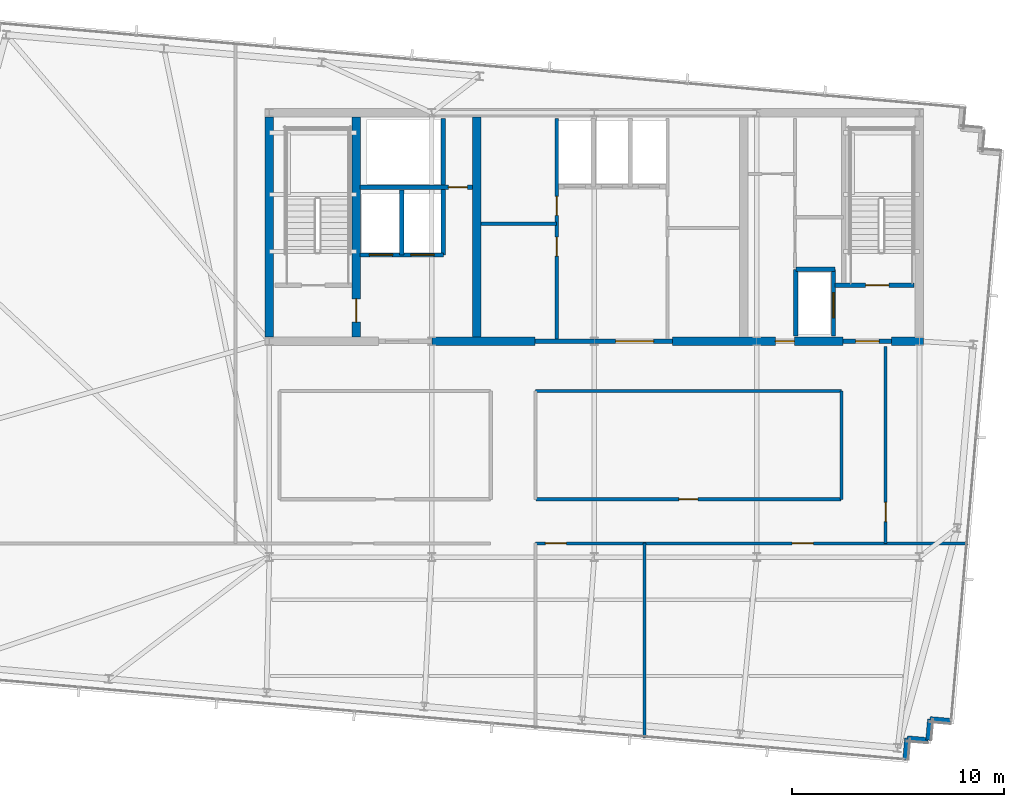
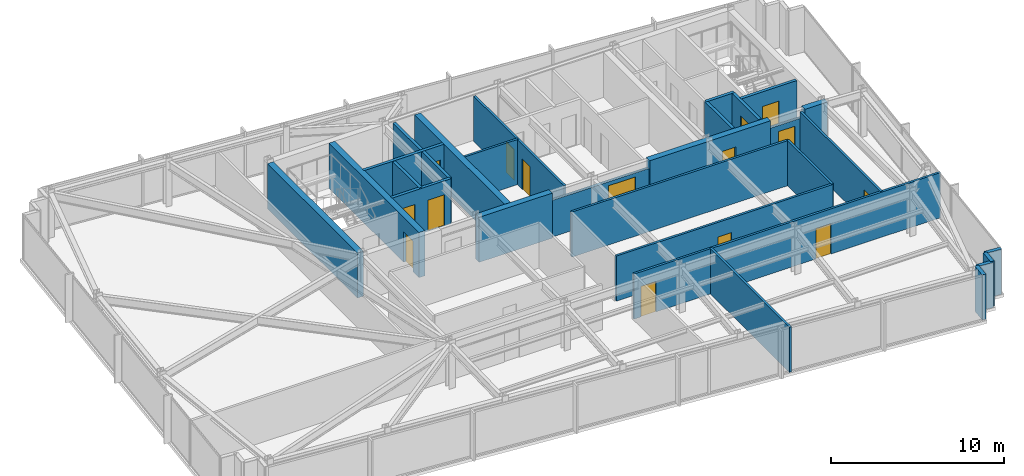
# One storey, part 27 of 32: 28 walls, 15 doors, 15 openings.
"""IFC4 building model written with IfcOpenShell, lengths in metres."""

from ifc_helpers import new_model, si_unit, direction, frame, frame_2d, origin, place, context, subcontext, project, spatial, rectangle, extrude, material, layer, layer_set, type_object, element, fill, save


model = new_model("IFC4")

# Units and contexts
model_context = context("Model", 3, precision=1e-05, world=origin(), true_north=direction((0.0, 1.0)))
body_context = subcontext(model_context, "Body", "Model", "MODEL_VIEW")
ifc_project = project(units=[si_unit("LENGTHUNIT", "METRE"), si_unit("AREAUNIT", "SQUARE_METRE"), si_unit("VOLUMEUNIT", "CUBIC_METRE"), si_unit("PLANEANGLEUNIT", "RADIAN"), si_unit("MASSUNIT", "GRAM", prefix="KILO")], contexts=[model_context])

# Site, building, storey
site_placement = place(None, origin())
site = spatial("IfcSite", under=ifc_project, at=site_placement, CompositionType="ELEMENT")
building_placement = place(site_placement, origin())
building = spatial("IfcBuilding", under=site, at=building_placement, Name="Yelkora Congress Tower", CompositionType="ELEMENT")
storey_placement = place(building_placement, frame((0.0, 0.0, 262.5)))
storey = spatial("IfcBuildingStorey", under=building, at=storey_placement, Name="L73", CompositionType="ELEMENT", Elevation=262.5)

# Wall
ifc_material_1 = material(Name="Concrete C50/60", Category="concrete")
ifc_layer_1 = layer(ifc_material_1, 0.39990234375)
ifc_layer_set_1 = layer_set([ifc_layer_1], Name="Concrete C50/60")
wall_type_1 = type_object("IfcWallType", Name="WALL-CORE-INT-400", PredefinedType="SHEAR", material=ifc_layer_set_1)
wall_1_placement = place(storey_placement, frame((30.719970703125, 35.39990234375, 0.0), z_axis=(0.0, 0.0, 1.0), x_axis=(1.0, 0.0, 0.0)))
element("IfcWall", 1, at=wall_1_placement, inside=storey, type_object=wall_type_1, Name="L73 Rear Core South-Center Shear Pier", PredefinedType="SHEAR", context=body_context, shape_type="SweptSolid", body=[
    extrude(rectangle(XDim=4.880126953125, YDim=0.39990234375, at=frame_2d((2.43994140625, 0.0))), origin(), (0.0, 0.0, 1.0), 3.179931640625),
])

# Wall, opening, door
wall_2_placement = place(storey_placement, frame((42.10009765625, 35.39990234375, 0.0), z_axis=(0.0, 0.0, 1.0), x_axis=(1.0, 0.0, 0.0)))
wall_2 = element("IfcWall", 2, at=wall_2_placement, inside=storey, type_object=wall_type_1, Name="L73 Rear Core South-East Shear Wall A", PredefinedType="SHEAR", context=body_context, shape_type="SweptSolid", body=[
    extrude(rectangle(XDim=8.0498046875, YDim=0.39990234375, at=frame_2d((4.02490234375, 0.0))), origin(), (0.0, 0.0, 1.0), 3.179931640625),
])
opening_1_placement = place(wall_2_placement, frame((4.85009765625, 0.0, 0.0)))
opening_1 = element("IfcOpeningElement", 3, at=opening_1_placement, cuts=wall_2, Name="Opening DR-090F6", PredefinedType="OPENING", context=body_context, shape_type="SweptSolid", body=[
    extrude(rectangle(XDim=0.89990234375, YDim=2.14990234375, at=frame_2d((0.449951171875, 1.074951171875))), frame((0.0, 0.2099609375, 0.0), z_axis=(0.0, -1.0, 0.0), x_axis=(1.0, 0.0, 0.0)), (0.0, 0.0, 1.0), 0.419921875),
])
ifc_material_2 = material(Name="Painted steel riser fire door leaf", Category="steel")
door_type_1 = type_object("IfcDoorType", Name="DOOR-FD60-900", OperationType="NOTDEFINED", PredefinedType="DOOR", material=ifc_material_2)
door_1_placement = place(opening_1_placement, origin())
door_1 = element("IfcDoor", 4, at=door_1_placement, inside=storey, type_object=door_type_1, Name="L73 Core Washroom Lobby Door", OperationType="SINGLE_SWING_RIGHT", OverallHeight=2.14990234375, OverallWidth=0.89990234375, PredefinedType="DOOR", context=body_context, shape_type="SweptSolid", body=[
    extrude(rectangle(XDim=0.89990234375, YDim=2.14990234375, at=frame_2d((0.449951171875, 1.074951171875))), frame((0.0, 0.02490234375, 0.0), z_axis=(0.0, -1.0, 0.0), x_axis=(1.0, 0.0, 0.0)), (0.0, 0.0, 1.0), 0.050048828125),
])
fill(opening_1, door_1)

# Walls
wall_3_placement = place(storey_placement, frame((52.449951171875, 35.39990234375, 0.0), z_axis=(0.0, 0.0, 1.0), x_axis=(1.0, 0.0, 0.0)))
element("IfcWall", 5, at=wall_3_placement, inside=storey, type_object=wall_type_1, Name="L73 Rear Core South-East Shear Wall B", PredefinedType="SHEAR", context=body_context, shape_type="SweptSolid", body=[
    extrude(rectangle(XDim=1.510009765625, YDim=0.39990234375, at=frame_2d((0.7548828125, 0.0))), origin(), (0.0, 0.0, 1.0), 3.179931640625),
])
wall_4_placement = place(storey_placement, frame((23.0400390625, 35.60009765625, 0.0), z_axis=(0.0, 0.0, 1.0), x_axis=(0.0, 1.0, 0.0)))
element("IfcWall", 6, at=wall_4_placement, inside=storey, type_object=wall_type_1, Name="L73 Rear Core Cross Shear Wall W", PredefinedType="SHEAR", context=body_context, shape_type="SweptSolid", body=[
    extrude(rectangle(XDim=10.39990234375, YDim=0.39990234375, at=frame_2d((5.199951171875, 0.0))), origin(), (0.0, 0.0, 1.0), 3.179931640625),
])

# Wall, opening, door
wall_5_placement = place(storey_placement, frame((27.14990234375, 35.60009765625, 0.0), z_axis=(0.0, 0.0, 1.0), x_axis=(0.0, 1.0, 0.0)))
wall_5 = element("IfcWall", 7, at=wall_5_placement, inside=storey, type_object=wall_type_1, Name="L73 Rear Core Cross Shear Wall C1", PredefinedType="SHEAR", context=body_context, shape_type="SweptSolid", body=[
    extrude(rectangle(XDim=10.39990234375, YDim=0.39990234375, at=frame_2d((5.199951171875, 0.0))), origin(), (0.0, 0.0, 1.0), 3.179931640625),
])
opening_2_placement = place(wall_5_placement, frame((0.699951171875, 0.0, 0.0)))
opening_2 = element("IfcOpeningElement", 8, at=opening_2_placement, cuts=wall_5, Name="Opening DR-110F9", PredefinedType="OPENING", context=body_context, shape_type="SweptSolid", body=[
    extrude(rectangle(XDim=1.10009765625, YDim=2.14990234375, at=frame_2d((0.550048828125, 1.074951171875))), frame((0.0, 0.2099609375, 0.0), z_axis=(0.0, -1.0, 0.0), x_axis=(1.0, 0.0, 0.0)), (0.0, 0.0, 1.0), 0.419921875),
])
ifc_material_3 = material(Name="Galvanised steel fire door leaf", Category="steel")
door_type_2 = type_object("IfcDoorType", Name="DOOR-FD90-1100", OperationType="NOTDEFINED", PredefinedType="DOOR", material=ifc_material_3)
door_2_placement = place(opening_2_placement, origin())
door_2 = element("IfcDoor", 9, at=door_2_placement, inside=storey, type_object=door_type_2, Name="L73 Firefighting Stair Transfer Door", OperationType="SINGLE_SWING_LEFT", OverallHeight=2.14990234375, OverallWidth=1.10009765625, PredefinedType="DOOR", context=body_context, shape_type="SweptSolid", body=[
    extrude(rectangle(XDim=1.10009765625, YDim=2.14990234375, at=frame_2d((0.550048828125, 1.074951171875))), frame((0.0, 0.02490234375, 0.0), z_axis=(0.0, -1.0, 0.0), x_axis=(1.0, 0.0, 0.0)), (0.0, 0.0, 1.0), 0.050048828125),
])
fill(opening_2, door_2)

# Walls
wall_6_placement = place(storey_placement, frame((32.85009765625, 35.60009765625, 0.0), z_axis=(0.0, 0.0, 1.0), x_axis=(0.0, 1.0, 0.0)))
element("IfcWall", 10, at=wall_6_placement, inside=storey, type_object=wall_type_1, Name="L73 Rear Core Cross Shear Wall C2", PredefinedType="SHEAR", context=body_context, shape_type="SweptSolid", body=[
    extrude(rectangle(XDim=10.39990234375, YDim=0.39990234375, at=frame_2d((5.199951171875, 0.0))), origin(), (0.0, 0.0, 1.0), 3.179931640625),
])
ifc_material_4 = material(Name="Concrete C40/50", Category="concrete")
ifc_layer_2 = layer(ifc_material_4, 0.239990234375)
ifc_layer_set_2 = layer_set([ifc_layer_2], Name="Concrete C40/50")
wall_type_2 = type_object("IfcWallType", Name="WALL-EXT-LIMESTONE-240", PredefinedType="SOLIDWALL", material=ifc_layer_set_2)
for number, where, z_axis, x_axis, name in (
    (11, (55.2578125, 17.458740234375, 0.0), (0.0, 0.0, 1.0), (-0.996193717496, 0.087166950281, 0.0), "L73 Serrated Corner Limestone Pier 16"),
    (12, (54.26171875, 17.5458984375, 0.0), (0.0, 0.0, 1.0), (-0.087166950281, -0.996193717496, 0.0), "L73 Serrated Corner Limestone Pier 17"),
):
    element("IfcWall", number, at=place(storey_placement, frame(where, z_axis=z_axis, x_axis=x_axis)), inside=storey, type_object=wall_type_2, Name=name, PredefinedType="SOLIDWALL", context=body_context, shape_type="SweptSolid", body=[
        extrude(rectangle(XDim=1.0, YDim=0.239990234375, at=frame_2d((0.5, 0.0))), origin(), (0.0, 0.0, 1.0), 3.179931640625),
    ])
for number, where, z_axis, x_axis, name in (
    (13, (54.174560546875, 16.5498046875, 0.0), (0.0, 0.0, 1.0), (-0.996195572005, 0.087145753297, 0.0), "L73 Serrated Corner Limestone Pier 18"),
    (14, (53.17822265625, 16.636962890625, 0.0), (0.0, 0.0, 1.0), (-0.087145753297, -0.996195572005, 0.0), "L73 Serrated Corner Limestone Pier 19"),
):
    element("IfcWall", number, at=place(storey_placement, frame(where, z_axis=z_axis, x_axis=x_axis)), inside=storey, type_object=wall_type_2, Name=name, PredefinedType="SOLIDWALL", context=body_context, shape_type="SweptSolid", body=[
        extrude(rectangle(XDim=1.000244140625, YDim=0.239990234375, at=frame_2d((0.5, 0.0))), origin(), (0.0, 0.0, 1.0), 3.179931640625),
    ])
ifc_material_5 = material(Name="Acoustic metal-stud gypsum partition", Category="gypsum")
ifc_layer_3 = layer(ifc_material_5, 0.14990234375)
ifc_layer_set_3 = layer_set([ifc_layer_3], Name="Acoustic metal-stud gypsum partition")
wall_type_3 = type_object("IfcWallType", Name="WALL-INT-150-NR", PredefinedType="PARTITIONING", material=ifc_layer_set_3)
wall_7_placement = place(storey_placement, frame((40.77392578125, 16.658203125, 0.0), z_axis=(0.0, 0.0, 1.0), x_axis=(0.0, 1.0, 0.0)))
element("IfcWall", 15, at=wall_7_placement, inside=storey, type_object=wall_type_3, Name="L73 Partition Wall 24", PredefinedType="PARTITIONING", context=body_context, shape_type="SweptSolid", body=[
    extrude(rectangle(XDim=9.2119140625, YDim=0.14990234375, at=frame_2d((4.60595703125, 0.0))), origin(), (0.0, 0.0, 1.0), 3.179931640625),
])

# Wall, openings, doors
wall_8_placement = place(storey_placement, frame((35.6201171875, 25.85009765625, 0.0), z_axis=(0.0, 0.0, 1.0), x_axis=(1.0, 0.0, 0.0)))
wall_8 = element("IfcWall", 16, at=wall_8_placement, inside=storey, type_object=wall_type_3, Name="L73 South Spine Wall East", PredefinedType="PARTITIONING", context=body_context, shape_type="SweptSolid", body=[
    extrude(rectangle(XDim=20.43212890625, YDim=0.14990234375, at=frame_2d((10.216064453125, 0.0))), origin(), (0.0, 0.0, 1.0), 3.179931640625),
])
opening_3_placement = place(wall_8_placement, frame((0.4599609375, 0.0, 0.0)))
opening_3 = element("IfcOpeningElement", 17, at=opening_3_placement, cuts=wall_8, Name="Opening DR-100N", PredefinedType="OPENING", context=body_context, shape_type="SweptSolid", body=[
    extrude(rectangle(XDim=1.0, YDim=2.14990234375, at=frame_2d((0.5, 1.074951171875))), frame((0.0, 0.0849609375, 0.0), z_axis=(0.0, -1.0, 0.0), x_axis=(1.0, 0.0, 0.0)), (0.0, 0.0, 1.0), 0.169921875),
])
opening_4_placement = place(wall_8_placement, frame((12.12548828125, 0.0, 0.0)))
opening_4 = element("IfcOpeningElement", 18, at=opening_4_placement, cuts=wall_8, Name="Opening DR-100N", PredefinedType="OPENING", context=body_context, shape_type="SweptSolid", body=[
    extrude(rectangle(XDim=1.0, YDim=2.14990234375, at=frame_2d((0.5, 1.074951171875))), frame((0.0, 0.0849609375, 0.0), z_axis=(0.0, -1.0, 0.0), x_axis=(1.0, 0.0, 0.0)), (0.0, 0.0, 1.0), 0.169921875),
])
ifc_material_6 = material(Name="Solid-core Anatolian oak veneer door", Category="wood")
door_type_3 = type_object("IfcDoorType", Name="DOOR-INT-1000", OperationType="NOTDEFINED", PredefinedType="DOOR", material=ifc_material_6)
door_3_placement = place(opening_3_placement, origin())
door_3 = element("IfcDoor", 19, at=door_3_placement, inside=storey, type_object=door_type_3, Name="L73 Refreshment Kitchen Door", OperationType="SINGLE_SWING_LEFT", OverallHeight=2.14990234375, OverallWidth=1.0, PredefinedType="DOOR", context=body_context, shape_type="SweptSolid", body=[
    extrude(rectangle(XDim=1.0, YDim=2.14990234375, at=frame_2d((0.5, 1.074951171875))), frame((0.0, 0.02490234375, 0.0), z_axis=(0.0, -1.0, 0.0), x_axis=(1.0, 0.0, 0.0)), (0.0, 0.0, 1.0), 0.050048828125),
])
fill(opening_3, door_3)
door_4_placement = place(opening_4_placement, origin())
door_4 = element("IfcDoor", 20, at=door_4_placement, inside=storey, type_object=door_type_3, Name="L73 Translation Studio Door", OperationType="SINGLE_SWING_RIGHT", OverallHeight=2.14990234375, OverallWidth=1.0, PredefinedType="DOOR", context=body_context, shape_type="SweptSolid", body=[
    extrude(rectangle(XDim=1.0, YDim=2.14990234375, at=frame_2d((0.5, 1.074951171875))), frame((0.0, 0.02490234375, 0.0), z_axis=(0.0, -1.0, 0.0), x_axis=(1.0, 0.0, 0.0)), (0.0, 0.0, 1.0), 0.050048828125),
])
fill(opening_4, door_4)

# Wall, opening, door
wall_9_placement = place(storey_placement, frame((52.159912109375, 25.85009765625, 0.0), z_axis=(0.0, 0.0, 1.0), x_axis=(0.0, 1.0, 0.0)))
wall_9 = element("IfcWall", 21, at=wall_9_placement, inside=storey, type_object=wall_type_3, Name="L73 Partition Wall 28", PredefinedType="PARTITIONING", context=body_context, shape_type="SweptSolid", body=[
    extrude(rectangle(XDim=9.289794921875, YDim=0.14990234375, at=frame_2d((4.64501953125, 0.0))), origin(), (0.0, 0.0, 1.0), 3.179931640625),
])
opening_5_placement = place(wall_9_placement, frame((1.030029296875, 0.0, 0.0)))
opening_5 = element("IfcOpeningElement", 22, at=opening_5_placement, cuts=wall_9, Name="Opening DR-090N", PredefinedType="OPENING", context=body_context, shape_type="SweptSolid", body=[
    extrude(rectangle(XDim=0.89990234375, YDim=2.14990234375, at=frame_2d((0.449951171875, 1.074951171875))), frame((0.0, 0.0849609375, 0.0), z_axis=(0.0, -1.0, 0.0), x_axis=(1.0, 0.0, 0.0)), (0.0, 0.0, 1.0), 0.169921875),
])
ifc_material_7 = material(Name="Moisture-resistant laminate door leaf", Category="wood")
door_type_4 = type_object("IfcDoorType", Name="DOOR-INT-900", OperationType="NOTDEFINED", PredefinedType="DOOR", material=ifc_material_7)
door_5_placement = place(opening_5_placement, origin())
door_5 = element("IfcDoor", 23, at=door_5_placement, inside=storey, type_object=door_type_4, Name="L73 E Wing Door", OperationType="SINGLE_SWING_RIGHT", OverallHeight=2.14990234375, OverallWidth=0.89990234375, PredefinedType="DOOR", context=body_context, shape_type="SweptSolid", body=[
    extrude(rectangle(XDim=0.89990234375, YDim=2.14990234375, at=frame_2d((0.449951171875, 1.074951171875))), frame((0.0, 0.02490234375, 0.0), z_axis=(0.0, -1.0, 0.0), x_axis=(1.0, 0.0, 0.0)), (0.0, 0.0, 1.0), 0.050048828125),
])
fill(opening_5, door_5)

# Walls
wall_10_placement = place(storey_placement, frame((50.080078125, 27.929931640625, 0.0), z_axis=(0.0, 0.0, 1.0), x_axis=(0.0, 1.0, 0.0)))
element("IfcWall", 24, at=wall_10_placement, inside=storey, type_object=wall_type_3, Name="L73 Partition Wall 30", PredefinedType="PARTITIONING", context=body_context, shape_type="SweptSolid", body=[
    extrude(rectangle(XDim=5.1201171875, YDim=0.14990234375, at=frame_2d((2.56005859375, 0.0))), origin(), (0.0, 0.0, 1.0), 3.179931640625),
])
wall_11_placement = place(storey_placement, frame((35.6201171875, 33.050048828125, 0.0), z_axis=(0.0, 0.0, 1.0), x_axis=(1.0, 0.0, 0.0)))
element("IfcWall", 25, at=wall_11_placement, inside=storey, type_object=wall_type_3, Name="L73 Partition Wall 34", PredefinedType="PARTITIONING", context=body_context, shape_type="SweptSolid", body=[
    extrude(rectangle(XDim=14.4599609375, YDim=0.14990234375, at=frame_2d((7.22998046875, 0.0))), origin(), (0.0, 0.0, 1.0), 3.179931640625),
])

# Wall, opening, door
wall_12_placement = place(storey_placement, frame((35.6298828125, 27.929931640625, 0.0), z_axis=(0.0, 0.0, 1.0), x_axis=(1.0, 0.0, 0.0)))
wall_12 = element("IfcWall", 26, at=wall_12_placement, inside=storey, type_object=wall_type_3, Name="L73 Partition Wall 36", PredefinedType="PARTITIONING", context=body_context, shape_type="SweptSolid", body=[
    extrude(rectangle(XDim=14.43017578125, YDim=0.14990234375, at=frame_2d((7.215087890625, 0.0))), origin(), (0.0, 0.0, 1.0), 3.179931640625),
])
opening_6_placement = place(wall_12_placement, frame((6.764892578125, 0.0, 0.0)))
opening_6 = element("IfcOpeningElement", 27, at=opening_6_placement, cuts=wall_12, Name="Opening DR-090N", PredefinedType="OPENING", context=body_context, shape_type="SweptSolid", body=[
    extrude(rectangle(XDim=0.89990234375, YDim=2.14990234375, at=frame_2d((0.449951171875, 1.074951171875))), frame((0.0, 0.0849609375, 0.0), z_axis=(0.0, -1.0, 0.0), x_axis=(1.0, 0.0, 0.0)), (0.0, 0.0, 1.0), 0.169921875),
])
door_6_placement = place(opening_6_placement, origin())
door_6 = element("IfcDoor", 28, at=door_6_placement, inside=storey, type_object=door_type_4, Name="L73 Business Concierge Office Door", OperationType="SINGLE_SWING_RIGHT", OverallHeight=2.14990234375, OverallWidth=0.89990234375, PredefinedType="DOOR", context=body_context, shape_type="SweptSolid", body=[
    extrude(rectangle(XDim=0.89990234375, YDim=2.14990234375, at=frame_2d((0.449951171875, 1.074951171875))), frame((0.0, 0.02490234375, 0.0), z_axis=(0.0, -1.0, 0.0), x_axis=(1.0, 0.0, 0.0)), (0.0, 0.0, 1.0), 0.050048828125),
])
fill(opening_6, door_6)

# Wall
ifc_material_8 = material(Name="Twin-stud fire-rated gypsum partition", Category="gypsum")
ifc_layer_4 = layer(ifc_material_8, 0.14990234375)
ifc_layer_set_4 = layer_set([ifc_layer_4], Name="Twin-stud fire-rated gypsum partition")
wall_type_4 = type_object("IfcWallType", Name="WALL-INT-150-R60", PredefinedType="PARTITIONING", material=ifc_layer_set_4)
wall_13_placement = place(storey_placement, frame((33.050048828125, 40.949951171875, 0.0), z_axis=(0.0, 0.0, 1.0), x_axis=(1.0, 0.0, 0.0)))
element("IfcWall", 29, at=wall_13_placement, inside=storey, type_object=wall_type_4, Name="L73 Partition Wall 11", PredefinedType="PARTITIONING", context=body_context, shape_type="SweptSolid", body=[
    extrude(rectangle(XDim=3.570068359375, YDim=0.14990234375, at=frame_2d((1.78515625, 0.0))), origin(), (0.0, 0.0, 1.0), 3.179931640625),
])

# Wall, openings, doors
wall_14_placement = place(storey_placement, frame((36.6201171875, 35.5, 0.0), z_axis=(0.0, 0.0, 1.0), x_axis=(0.0, 1.0, 0.0)))
wall_14 = element("IfcWall", 30, at=wall_14_placement, inside=storey, type_object=wall_type_4, Name="L73 Partition Wall 12", PredefinedType="PARTITIONING", context=body_context, shape_type="SweptSolid", body=[
    extrude(rectangle(XDim=10.419921875, YDim=0.14990234375, at=frame_2d((5.2099609375, 0.0))), origin(), (0.0, 0.0, 1.0), 3.179931640625),
])
opening_7_placement = place(wall_14_placement, frame((3.919921875, 0.0, 0.0)))
opening_7 = element("IfcOpeningElement", 31, at=opening_7_placement, cuts=wall_14, Name="Opening DR-090F6", PredefinedType="OPENING", context=body_context, shape_type="SweptSolid", body=[
    extrude(rectangle(XDim=0.89990234375, YDim=2.14990234375, at=frame_2d((0.449951171875, 1.074951171875))), frame((0.0, 0.0849609375, 0.0), z_axis=(0.0, -1.0, 0.0), x_axis=(1.0, 0.0, 0.0)), (0.0, 0.0, 1.0), 0.169921875),
])
opening_8_placement = place(wall_14_placement, frame((5.85009765625, 0.0, 0.0)))
opening_8 = element("IfcOpeningElement", 32, at=opening_8_placement, cuts=wall_14, Name="Opening DR-090F6", PredefinedType="OPENING", context=body_context, shape_type="SweptSolid", body=[
    extrude(rectangle(XDim=0.89990234375, YDim=2.14990234375, at=frame_2d((0.449951171875, 1.074951171875))), frame((0.0, 0.0849609375, 0.0), z_axis=(0.0, -1.0, 0.0), x_axis=(1.0, 0.0, 0.0)), (0.0, 0.0, 1.0), 0.169921875),
])
door_7_placement = place(opening_7_placement, origin())
door_7 = element("IfcDoor", 33, at=door_7_placement, inside=storey, type_object=door_type_1, Name="L73 Telecom Store Door", OperationType="SINGLE_SWING_RIGHT", OverallHeight=2.14990234375, OverallWidth=0.89990234375, PredefinedType="DOOR", context=body_context, shape_type="SweptSolid", body=[
    extrude(rectangle(XDim=0.89990234375, YDim=2.14990234375, at=frame_2d((0.449951171875, 1.074951171875))), frame((0.0, 0.02490234375, 0.0), z_axis=(0.0, -1.0, 0.0), x_axis=(1.0, 0.0, 0.0)), (0.0, 0.0, 1.0), 0.050048828125),
])
fill(opening_7, door_7)
door_8_placement = place(opening_8_placement, origin())
door_8 = element("IfcDoor", 34, at=door_8_placement, inside=storey, type_object=door_type_1, Name="L73 Archive Store Door", OperationType="SINGLE_SWING_LEFT", OverallHeight=2.14990234375, OverallWidth=0.89990234375, PredefinedType="DOOR", context=body_context, shape_type="SweptSolid", body=[
    extrude(rectangle(XDim=0.89990234375, YDim=2.14990234375, at=frame_2d((0.449951171875, 1.074951171875))), frame((0.0, 0.02490234375, 0.0), z_axis=(0.0, -1.0, 0.0), x_axis=(1.0, 0.0, 0.0)), (0.0, 0.0, 1.0), 0.050048828125),
])
fill(opening_8, door_8)

ifc_material_9 = material(Name="Autoclaved aerated concrete blockwork", Category="masonry")
ifc_layer_5 = layer(ifc_material_9, 0.199951171875)
ifc_layer_set_5 = layer_set([ifc_layer_5], Name="Autoclaved aerated concrete blockwork")
wall_type_5 = type_object("IfcWallType", Name="WALL-INT-200-R120", PredefinedType="PARTITIONING", material=ifc_layer_set_5)
wall_15_placement = place(storey_placement, frame((27.320068359375, 39.47998046875, 0.0), z_axis=(0.0, 0.0, 1.0), x_axis=(1.0, 0.0, 0.0)))
wall_15 = element("IfcWall", 35, at=wall_15_placement, inside=storey, type_object=wall_type_5, Name="L73 Firefighting Lift Front Wall", PredefinedType="PARTITIONING", context=body_context, shape_type="SweptSolid", body=[
    extrude(rectangle(XDim=3.93994140625, YDim=0.199951171875, at=frame_2d((1.969970703125, 0.0))), origin(), (0.0, 0.0, 1.0), 3.179931640625),
])
opening_9_placement = place(wall_15_placement, frame((0.449951171875, 0.0, 0.0)))
opening_9 = element("IfcOpeningElement", 36, at=opening_9_placement, cuts=wall_15, Name="Opening LD-FF11", PredefinedType="OPENING", context=body_context, shape_type="SweptSolid", body=[
    extrude(rectangle(XDim=1.10009765625, YDim=2.199951171875, at=frame_2d((0.550048828125, 1.10009765625))), frame((0.0, 0.10986328125, 0.0), z_axis=(0.0, -1.0, 0.0), x_axis=(1.0, 0.0, 0.0)), (0.0, 0.0, 1.0), 0.219970703125),
])
opening_10_placement = place(wall_15_placement, frame((2.409912109375, 0.0, 0.0)))
opening_10 = element("IfcOpeningElement", 37, at=opening_10_placement, cuts=wall_15, Name="Opening LD-FF11", PredefinedType="OPENING", context=body_context, shape_type="SweptSolid", body=[
    extrude(rectangle(XDim=1.10009765625, YDim=2.199951171875, at=frame_2d((0.550048828125, 1.10009765625))), frame((0.0, 0.10986328125, 0.0), z_axis=(0.0, -1.0, 0.0), x_axis=(1.0, 0.0, 0.0)), (0.0, 0.0, 1.0), 0.219970703125),
])
ifc_material_10 = material(Name="Brushed stainless steel 316L landing door", Category="steel")
door_type_5 = type_object("IfcDoorType", Name="DOOR-LIFT-FF-1100", OperationType="DOUBLE_DOOR_SLIDING", PredefinedType="DOOR", material=ifc_material_10)
door_9_placement = place(opening_9_placement, origin())
door_9 = element("IfcDoor", 38, at=door_9_placement, inside=storey, type_object=door_type_5, Name="Lift Landing Door LF-FF1 L73", OperationType="DOUBLE_DOOR_SLIDING", OverallHeight=2.199951171875, OverallWidth=1.10009765625, PredefinedType="DOOR", context=body_context, shape_type="SweptSolid", body=[
    extrude(rectangle(XDim=1.10009765625, YDim=2.199951171875, at=frame_2d((0.550048828125, 1.10009765625))), frame((0.0, 0.02490234375, 0.0), z_axis=(0.0, -1.0, 0.0), x_axis=(1.0, 0.0, 0.0)), (0.0, 0.0, 1.0), 0.050048828125),
])
fill(opening_9, door_9)
door_10_placement = place(opening_10_placement, origin())
door_10 = element("IfcDoor", 39, at=door_10_placement, inside=storey, type_object=door_type_5, Name="Lift Landing Door LF-FF2 L73", OperationType="DOUBLE_DOOR_SLIDING", OverallHeight=2.199951171875, OverallWidth=1.10009765625, PredefinedType="DOOR", context=body_context, shape_type="SweptSolid", body=[
    extrude(rectangle(XDim=1.10009765625, YDim=2.199951171875, at=frame_2d((0.550048828125, 1.10009765625))), frame((0.0, 0.02490234375, 0.0), z_axis=(0.0, -1.0, 0.0), x_axis=(1.0, 0.0, 0.0)), (0.0, 0.0, 1.0), 0.050048828125),
])
fill(opening_10, door_10)

# Walls
wall_16_placement = place(storey_placement, frame((29.300048828125, 39.47998046875, 0.0), z_axis=(0.0, 0.0, 1.0), x_axis=(0.0, 1.0, 0.0)))
element("IfcWall", 40, at=wall_16_placement, inside=storey, type_object=wall_type_5, Name="L73 Partition Wall 4", PredefinedType="PARTITIONING", context=body_context, shape_type="SweptSolid", body=[
    extrude(rectangle(XDim=3.070068359375, YDim=0.199951171875, at=frame_2d((1.53515625, 0.0))), origin(), (0.0, 0.0, 1.0), 3.179931640625),
])
wall_17_placement = place(storey_placement, frame((31.260009765625, 39.47998046875, 0.0), z_axis=(0.0, 0.0, 1.0), x_axis=(0.0, 1.0, 0.0)))
element("IfcWall", 41, at=wall_17_placement, inside=storey, type_object=wall_type_5, Name="L73 Partition Wall 5", PredefinedType="PARTITIONING", context=body_context, shape_type="SweptSolid", body=[
    extrude(rectangle(XDim=6.43994140625, YDim=0.199951171875, at=frame_2d((3.219970703125, 0.0))), origin(), (0.0, 0.0, 1.0), 3.179931640625),
])

# Wall, opening, door
wall_18_placement = place(storey_placement, frame((27.320068359375, 42.679931640625, 0.0), z_axis=(0.0, 0.0, 1.0), x_axis=(1.0, 0.0, 0.0)))
wall_18 = element("IfcWall", 42, at=wall_18_placement, inside=storey, type_object=wall_type_5, Name="L73 Smoke Riser South Wall", PredefinedType="PARTITIONING", context=body_context, shape_type="SweptSolid", body=[
    extrude(rectangle(XDim=5.329833984375, YDim=0.199951171875, at=frame_2d((2.6650390625, 0.0))), origin(), (0.0, 0.0, 1.0), 3.179931640625),
])
opening_11_placement = place(wall_18_placement, frame((4.179931640625, 0.0, 0.0)))
opening_11 = element("IfcOpeningElement", 43, at=opening_11_placement, cuts=wall_18, Name="Opening DR-090F6", PredefinedType="OPENING", context=body_context, shape_type="SweptSolid", body=[
    extrude(rectangle(XDim=0.89990234375, YDim=2.14990234375, at=frame_2d((0.449951171875, 1.074951171875))), frame((0.0, 0.10986328125, 0.0), z_axis=(0.0, -1.0, 0.0), x_axis=(1.0, 0.0, 0.0)), (0.0, 0.0, 1.0), 0.219970703125),
])
door_11_placement = place(opening_11_placement, origin())
door_11 = element("IfcDoor", 44, at=door_11_placement, inside=storey, type_object=door_type_1, Name="L73 Riser Access Door", OperationType="SINGLE_SWING_LEFT", OverallHeight=2.14990234375, OverallWidth=0.89990234375, PredefinedType="DOOR", context=body_context, shape_type="SweptSolid", body=[
    extrude(rectangle(XDim=0.89990234375, YDim=2.14990234375, at=frame_2d((0.449951171875, 1.074951171875))), frame((0.0, 0.02490234375, 0.0), z_axis=(0.0, -1.0, 0.0), x_axis=(1.0, 0.0, 0.0)), (0.0, 0.0, 1.0), 0.050048828125),
])
fill(opening_11, door_11)

wall_19_placement = place(storey_placement, frame((35.60009765625, 35.39990234375, 0.0), z_axis=(0.0, 0.0, 1.0), x_axis=(1.0, 0.0, 0.0)))
wall_19 = element("IfcWall", 45, at=wall_19_placement, inside=storey, type_object=wall_type_5, Name="L73 Main Lift Lobby South Portal Wall", PredefinedType="PARTITIONING", context=body_context, shape_type="SweptSolid", body=[
    extrude(rectangle(XDim=6.5, YDim=0.199951171875, at=frame_2d((3.25, 0.0))), origin(), (0.0, 0.0, 1.0), 2.574951171875),
])
opening_12_placement = place(wall_19_placement, frame((3.800048828125, 0.0, 0.0)))
opening_12 = element("IfcOpeningElement", 46, at=opening_12_placement, cuts=wall_19, Name="Opening DR-180D", PredefinedType="OPENING", context=body_context, shape_type="SweptSolid", body=[
    extrude(rectangle(XDim=1.800048828125, YDim=2.300048828125, at=frame_2d((0.89990234375, 1.14990234375))), frame((0.0, 0.10986328125, 0.0), z_axis=(0.0, -1.0, 0.0), x_axis=(1.0, 0.0, 0.0)), (0.0, 0.0, 1.0), 0.219970703125),
])
ifc_material_11 = material(Name="Acoustic double congress hall doors", Category="wood")
door_type_6 = type_object("IfcDoorType", Name="DOOR-DBL-1800", OperationType="DOUBLE_DOOR_SINGLE_SWING", PredefinedType="DOOR", material=ifc_material_11)
door_12_placement = place(opening_12_placement, origin())
door_12 = element("IfcDoor", 47, at=door_12_placement, inside=storey, type_object=door_type_6, Name="L73 Main Lift Lobby Portal Door", OperationType="DOUBLE_DOOR_SINGLE_SWING", OverallHeight=2.300048828125, OverallWidth=1.800048828125, PredefinedType="DOOR", context=body_context, shape_type="SweptSolid", body=[
    extrude(rectangle(XDim=1.800048828125, YDim=2.300048828125, at=frame_2d((0.89990234375, 1.14990234375))), frame((0.0, 0.02490234375, 0.0), z_axis=(0.0, -1.0, 0.0), x_axis=(1.0, 0.0, 0.0)), (0.0, 0.0, 1.0), 0.050048828125),
])
fill(opening_12, door_12)

wall_20_placement = place(storey_placement, frame((49.780029296875, 38.050048828125, 0.0), z_axis=(0.0, 0.0, 1.0), x_axis=(1.0, 0.0, 0.0)))
wall_20 = element("IfcWall", 48, at=wall_20_placement, inside=storey, type_object=wall_type_5, Name="L73 Stair ST-02 Enclosure Wall", PredefinedType="PARTITIONING", context=body_context, shape_type="SweptSolid", body=[
    extrude(rectangle(XDim=3.719970703125, YDim=0.199951171875, at=frame_2d((1.85986328125, 0.0))), origin(), (0.0, 0.0, 1.0), 3.179931640625),
])
opening_13_placement = place(wall_20_placement, frame((1.436279296875, 0.0, 0.0)))
opening_13 = element("IfcOpeningElement", 49, at=opening_13_placement, cuts=wall_20, Name="Opening DR-110F9", PredefinedType="OPENING", context=body_context, shape_type="SweptSolid", body=[
    extrude(rectangle(XDim=1.10009765625, YDim=2.14990234375, at=frame_2d((0.550048828125, 1.074951171875))), frame((0.0, 0.10986328125, 0.0), z_axis=(0.0, -1.0, 0.0), x_axis=(1.0, 0.0, 0.0)), (0.0, 0.0, 1.0), 0.219970703125),
])
door_13_placement = place(opening_13_placement, origin())
door_13 = element("IfcDoor", 50, at=door_13_placement, inside=storey, type_object=door_type_2, Name="L73 Stair ST-02 Entry Door", OperationType="SINGLE_SWING_RIGHT", OverallHeight=2.14990234375, OverallWidth=1.10009765625, PredefinedType="DOOR", context=body_context, shape_type="SweptSolid", body=[
    extrude(rectangle(XDim=1.10009765625, YDim=2.14990234375, at=frame_2d((0.550048828125, 1.074951171875))), frame((0.0, 0.02490234375, 0.0), z_axis=(0.0, -1.0, 0.0), x_axis=(1.0, 0.0, 0.0)), (0.0, 0.0, 1.0), 0.050048828125),
])
fill(opening_13, door_13)

wall_21_placement = place(storey_placement, frame((50.14990234375, 35.39990234375, 0.0), z_axis=(0.0, 0.0, 1.0), x_axis=(1.0, 0.0, 0.0)))
wall_21 = element("IfcWall", 51, at=wall_21_placement, inside=storey, type_object=wall_type_5, Name="L73 Partition Wall 16", PredefinedType="PARTITIONING", context=body_context, shape_type="SweptSolid", body=[
    extrude(rectangle(XDim=2.300048828125, YDim=0.199951171875, at=frame_2d((1.14990234375, 0.0))), origin(), (0.0, 0.0, 1.0), 2.574951171875),
])
opening_14_placement = place(wall_21_placement, frame((0.60009765625, 0.0, 0.0)))
opening_14 = element("IfcOpeningElement", 52, at=opening_14_placement, cuts=wall_21, Name="Opening DR-110F9", PredefinedType="OPENING", context=body_context, shape_type="SweptSolid", body=[
    extrude(rectangle(XDim=1.10009765625, YDim=2.14990234375, at=frame_2d((0.550048828125, 1.074951171875))), frame((0.0, 0.10986328125, 0.0), z_axis=(0.0, -1.0, 0.0), x_axis=(1.0, 0.0, 0.0)), (0.0, 0.0, 1.0), 0.219970703125),
])
door_14_placement = place(opening_14_placement, origin())
door_14 = element("IfcDoor", 53, at=door_14_placement, inside=storey, type_object=door_type_2, Name="L73 East Stair Lobby Door", OperationType="SINGLE_SWING_LEFT", OverallHeight=2.14990234375, OverallWidth=1.10009765625, PredefinedType="DOOR", context=body_context, shape_type="SweptSolid", body=[
    extrude(rectangle(XDim=1.10009765625, YDim=2.14990234375, at=frame_2d((0.550048828125, 1.074951171875))), frame((0.0, 0.02490234375, 0.0), z_axis=(0.0, -1.0, 0.0), x_axis=(1.0, 0.0, 0.0)), (0.0, 0.0, 1.0), 0.050048828125),
])
fill(opening_14, door_14)

wall_22_placement = place(storey_placement, frame((49.699951171875, 35.64990234375, 0.0), z_axis=(0.0, 0.0, 1.0), x_axis=(0.0, 1.0, 0.0)))
wall_22 = element("IfcWall", 54, at=wall_22_placement, inside=storey, type_object=wall_type_5, Name="L73 Partition Wall 17", PredefinedType="PARTITIONING", context=body_context, shape_type="SweptSolid", body=[
    extrude(rectangle(XDim=3.150146484375, YDim=0.199951171875, at=frame_2d((1.5751953125, 0.0))), origin(), (0.0, 0.0, 1.0), 3.179931640625),
])
opening_15_placement = place(wall_22_placement, frame((0.85009765625, 0.0, 0.0)))
opening_15 = element("IfcOpeningElement", 55, at=opening_15_placement, cuts=wall_22, Name="Opening LD-SV12", PredefinedType="OPENING", context=body_context, shape_type="SweptSolid", body=[
    extrude(rectangle(XDim=1.199951171875, YDim=2.199951171875, at=frame_2d((0.60009765625, 1.10009765625))), frame((0.0, 0.10986328125, 0.0), z_axis=(0.0, -1.0, 0.0), x_axis=(1.0, 0.0, 0.0)), (0.0, 0.0, 1.0), 0.219970703125),
])
ifc_material_12 = material(Name="Heavy-duty stainless steel landing door", Category="steel")
door_type_7 = type_object("IfcDoorType", Name="DOOR-LIFT-SRV-1200", OperationType="DOUBLE_DOOR_SLIDING", PredefinedType="DOOR", material=ifc_material_12)
door_15_placement = place(opening_15_placement, origin())
door_15 = element("IfcDoor", 56, at=door_15_placement, inside=storey, type_object=door_type_7, Name="Service Lift Landing Door LF-SV1 L73", OperationType="DOUBLE_DOOR_SLIDING", OverallHeight=2.199951171875, OverallWidth=1.199951171875, PredefinedType="DOOR", context=body_context, shape_type="SweptSolid", body=[
    extrude(rectangle(XDim=1.199951171875, YDim=2.199951171875, at=frame_2d((0.60009765625, 1.10009765625))), frame((0.0, 0.02490234375, 0.0), z_axis=(0.0, -1.0, 0.0), x_axis=(1.0, 0.0, 0.0)), (0.0, 0.0, 1.0), 0.050048828125),
])
fill(opening_15, door_15)

# Walls
wall_23_placement = place(storey_placement, frame((47.919921875, 35.64990234375, 0.0), z_axis=(0.0, 0.0, 1.0), x_axis=(0.0, 1.0, 0.0)))
element("IfcWall", 57, at=wall_23_placement, inside=storey, type_object=wall_type_5, Name="L73 Partition Wall 18", PredefinedType="PARTITIONING", context=body_context, shape_type="SweptSolid", body=[
    extrude(rectangle(XDim=3.150146484375, YDim=0.199951171875, at=frame_2d((1.5751953125, 0.0))), origin(), (0.0, 0.0, 1.0), 3.179931640625),
])
wall_24_placement = place(storey_placement, frame((47.919921875, 38.800048828125, 0.0), z_axis=(0.0, 0.0, 1.0), x_axis=(1.0, 0.0, 0.0)))
element("IfcWall", 58, at=wall_24_placement, inside=storey, type_object=wall_type_5, Name="L73 Partition Wall 19", PredefinedType="PARTITIONING", context=body_context, shape_type="SweptSolid", body=[
    extrude(rectangle(XDim=1.860107421875, YDim=0.199951171875, at=frame_2d((0.93017578125, 0.0))), origin(), (0.0, 0.0, 1.0), 3.179931640625),
])

save(model, "model.ifc")
